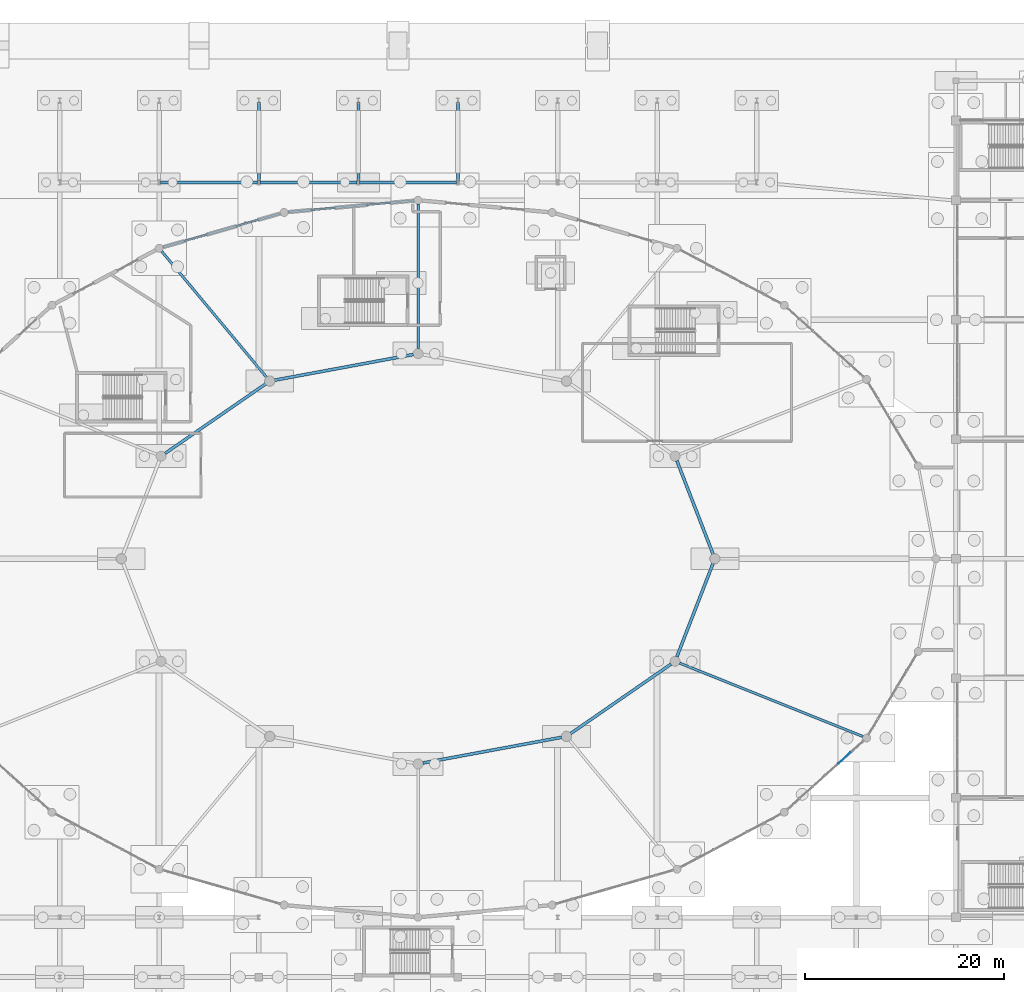
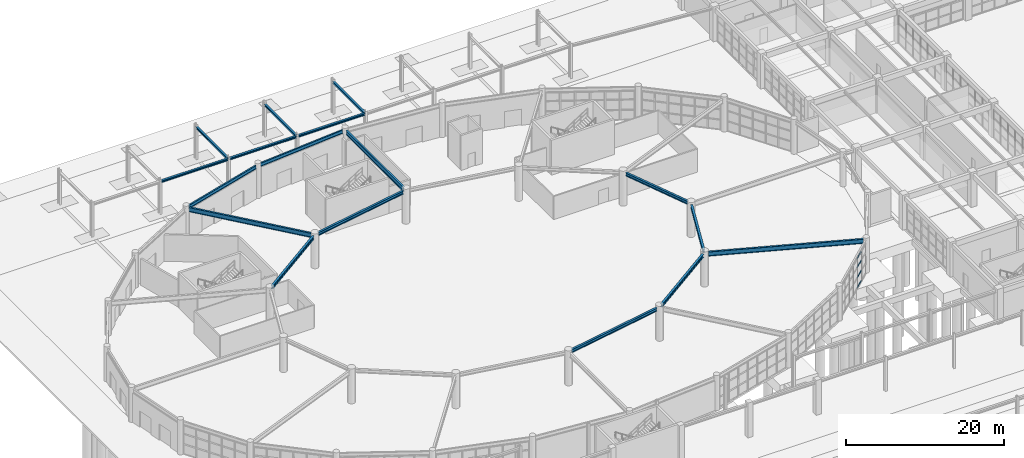
# One storey, part 42 of 99: 17 beams, 4 members, 1 element without a shape of its own.
"""IFC4 building model written with IfcOpenShell, lengths in metres."""

from ifc_helpers import new_model, si_unit, direction, frame, origin, origin_2d, place, context, subcontext, project, spatial, rectangle, i_section, extrude, material, layer, layer_set, material_profile, profile_set, type_object, element, aggregate, save


model = new_model("IFC4")

# Units and contexts
model_context = context("Model", 3, precision=1e-05, world=origin(), true_north=direction((0.0, 1.0)))
body_context = subcontext(model_context, "Body", "Model", "MODEL_VIEW")
ifc_project = project(units=[si_unit("LENGTHUNIT", "METRE"), si_unit("AREAUNIT", "SQUARE_METRE"), si_unit("VOLUMEUNIT", "CUBIC_METRE"), si_unit("PLANEANGLEUNIT", "RADIAN"), si_unit("MASSUNIT", "GRAM", prefix="KILO")], contexts=[model_context])

# Site, building, storey
site_placement = place(None, origin())
site = spatial("IfcSite", under=ifc_project, at=site_placement, CompositionType="ELEMENT")
building_placement = place(site_placement, origin())
building = spatial("IfcBuilding", under=site, at=building_placement, Name="Kivolera Central Railway Station", CompositionType="ELEMENT")
storey_placement = place(building_placement, origin())
storey = spatial("IfcBuildingStorey", under=building, at=storey_placement, Name="L00", CompositionType="ELEMENT", Elevation=0.0)

# Beams
ifc_material_1 = material(Name="Steel S355", Category="steel")
ifc_material_profile_1 = material_profile(ifc_material_1, i_section(OverallWidth=0.300048828125, OverallDepth=0.2900390625, WebThickness=0.008544921875, FlangeThickness=0.013916015625, FilletRadius=0.027099609375, at=origin_2d()), Name="HEA 300")
ifc_profile_set_1 = profile_set([ifc_material_profile_1], Name="Steel S355")
beam_type_1 = type_object("IfcBeamType", Name="BM-CAN-TIE", PredefinedType="BEAM", material=ifc_profile_set_1)
for number, where, z_axis, x_axis, name in (
    (1, (48.0, 127.93994140625, 4.919921875), (0.0, 1.0, 0.0), (-1.0, 0.0, 0.0), "Forecourt Canopy Tie Beam 3"),
    (2, (58.0, 127.93994140625, 4.919921875), (0.0, 1.0, 0.0), (-1.0, 0.0, 0.0), "Forecourt Canopy Tie Beam 4"),
    (3, (68.0, 127.93994140625, 4.919921875), (0.0, 1.0, 0.0), (-1.0, 0.0, 0.0), "Forecourt Canopy Tie Beam 5"),
):
    element("IfcBeam", number, at=place(storey_placement, frame(where, z_axis=z_axis, x_axis=x_axis)), inside=storey, type_object=beam_type_1, Name=name, PredefinedType="BEAM", context=body_context, shape_type="SweptSolid", body=[
        extrude(i_section(OverallWidth=0.300048828125, OverallDepth=0.2900390625, WebThickness=0.008544921875, FlangeThickness=0.013916015625, FilletRadius=0.027099609375, at=origin_2d()), origin(), (0.0, 0.0, 1.0), 7.920166015625),
    ])
for number, where, z_axis, x_axis, name in (
    (4, (38.139892578125, 127.800048828125, 4.919921875), (1.0, 0.0, 0.0), (0.0, 1.0, 0.0), "Forecourt Canopy South Longitudinal Beam 38"),
    (5, (48.139892578125, 127.800048828125, 4.919921875), (1.0, 0.0, 0.0), (0.0, 1.0, 0.0), "Forecourt Canopy South Longitudinal Beam 48"),
    (6, (58.139892578125, 127.800048828125, 4.919921875), (1.0, 0.0, 0.0), (0.0, 1.0, 0.0), "Forecourt Canopy South Longitudinal Beam 58"),
):
    element("IfcBeam", number, at=place(storey_placement, frame(where, z_axis=z_axis, x_axis=x_axis)), inside=storey, type_object=beam_type_1, Name=name, PredefinedType="BEAM", context=body_context, shape_type="SweptSolid", body=[
        extrude(i_section(OverallWidth=0.300048828125, OverallDepth=0.2900390625, WebThickness=0.008544921875, FlangeThickness=0.013916015625, FilletRadius=0.027099609375, at=origin_2d()), origin(), (0.0, 0.0, 1.0), 9.72021484375),
    ])
ifc_material_profile_2 = material_profile(ifc_material_1, i_section(OverallWidth=0.300048828125, OverallDepth=0.489990234375, WebThickness=0.011962890625, FlangeThickness=0.02294921875, FilletRadius=0.027099609375, at=origin_2d()), Name="HEA 500")
ifc_profile_set_2 = profile_set([ifc_material_profile_2], Name="Steel S355")
beam_type_2 = type_object("IfcBeamType", Name="BM-SHD-HEA500", PredefinedType="BEAM", material=ifc_profile_set_2)
beam_1_placement = place(storey_placement, frame((93.623046875, 90.45703125, 4.863037109375), z_axis=(-0.36139618842, 0.932412352447, 0.0), x_axis=(-0.932412352447, -0.36139618842, 0.0)))
element("IfcBeam", 7, at=beam_1_placement, inside=storey, type_object=beam_type_2, Name="L00 Oval Inner Gallery Ring Beam 01", PredefinedType="BEAM", context=body_context, shape_type="SweptSolid", body=[
    extrude(i_section(OverallWidth=0.300048828125, OverallDepth=0.489990234375, WebThickness=0.011962890625, FlangeThickness=0.02294921875, FilletRadius=0.027099609375, at=origin_2d()), origin(), (0.0, 0.0, 1.0), 10.06640625),
])
beam_2_placement = place(storey_placement, frame((63.51806640625, 110.510986328125, 4.863037109375), z_axis=(-0.983265780788, -0.182176849053, 0.0), x_axis=(0.182176849053, -0.983265780788, 0.0)))
element("IfcBeam", 8, at=beam_2_placement, inside=storey, type_object=beam_type_2, Name="L00 Oval Inner Gallery Ring Beam 04", PredefinedType="BEAM", context=body_context, shape_type="SweptSolid", body=[
    extrude(i_section(OverallWidth=0.300048828125, OverallDepth=0.489990234375, WebThickness=0.011962890625, FlangeThickness=0.02294921875, FilletRadius=0.027099609375, at=origin_2d()), origin(), (0.0, 0.0, 1.0), 14.173095703125),
])
beam_3_placement = place(storey_placement, frame((48.697021484375, 107.56103515625, 4.863037109375), z_axis=(-0.822641407904, -0.568560563179, 0.0), x_axis=(0.568560563179, -0.822641407904, 0.0)))
element("IfcBeam", 9, at=beam_3_placement, inside=storey, type_object=beam_type_2, Name="L00 Oval Inner Gallery Ring Beam 05", PredefinedType="BEAM", context=body_context, shape_type="SweptSolid", body=[
    extrude(i_section(OverallWidth=0.300048828125, OverallDepth=0.489990234375, WebThickness=0.011962890625, FlangeThickness=0.02294921875, FilletRadius=0.027099609375, at=origin_2d()), origin(), (0.0, 0.0, 1.0), 12.280029296875),
])
beam_4_placement = place(storey_placement, frame((64.48193359375, 69.489013671875, 4.863037109375), z_axis=(0.983265780788, 0.182176849053, 0.0), x_axis=(-0.182176849053, 0.983265780788, 0.0)))
element("IfcBeam", 10, at=beam_4_placement, inside=storey, type_object=beam_type_2, Name="L00 Oval Inner Gallery Ring Beam 10", PredefinedType="BEAM", context=body_context, shape_type="SweptSolid", body=[
    extrude(i_section(OverallWidth=0.300048828125, OverallDepth=0.489990234375, WebThickness=0.011962890625, FlangeThickness=0.02294921875, FilletRadius=0.027099609375, at=origin_2d()), origin(), (0.0, 0.0, 1.0), 14.173095703125),
])
beam_5_placement = place(storey_placement, frame((79.302978515625, 72.43896484375, 4.863037109375), z_axis=(0.822641407904, 0.568560563179, 0.0), x_axis=(-0.568560563179, 0.822641407904, 0.0)))
element("IfcBeam", 11, at=beam_5_placement, inside=storey, type_object=beam_type_2, Name="L00 Oval Inner Gallery Ring Beam 11", PredefinedType="BEAM", context=body_context, shape_type="SweptSolid", body=[
    extrude(i_section(OverallWidth=0.300048828125, OverallDepth=0.489990234375, WebThickness=0.011962890625, FlangeThickness=0.02294921875, FilletRadius=0.027099609375, at=origin_2d()), origin(), (0.0, 0.0, 1.0), 12.280029296875),
])
beam_6_placement = place(storey_placement, frame((89.985107421875, 80.156982421875, 4.863037109375), z_axis=(0.36139618842, 0.932412352447, 0.0), x_axis=(-0.932412352447, 0.36139618842, 0.0)))
element("IfcBeam", 12, at=beam_6_placement, inside=storey, type_object=beam_type_2, Name="L00 Oval Inner Gallery Ring Beam 12", PredefinedType="BEAM", context=body_context, shape_type="SweptSolid", body=[
    extrude(i_section(OverallWidth=0.300048828125, OverallDepth=0.489990234375, WebThickness=0.011962890625, FlangeThickness=0.02294921875, FilletRadius=0.027099609375, at=origin_2d()), origin(), (0.0, 0.0, 1.0), 10.06640625),
])
ifc_material_profile_3 = material_profile(ifc_material_1, i_section(OverallWidth=0.209228515625, OverallDepth=0.533203125, WebThickness=0.010009765625, FlangeThickness=0.015625, FilletRadius=0.0126953125, at=origin_2d()), Name="UB 533x210x92")
ifc_profile_set_3 = profile_set([ifc_material_profile_3], Name="Steel S355")
beam_type_3 = type_object("IfcBeamType", Name="BM-SHD-UB533", PredefinedType="BEAM", material=ifc_profile_set_3)
beam_7_placement = place(storey_placement, frame((63.612060546875, 125.965087890625, 4.841064453125), z_axis=(-0.9958650324, -0.090845127787, 0.0), x_axis=(0.090845127787, -0.9958650324, 0.0)))
element("IfcBeam", 13, at=beam_7_placement, inside=storey, type_object=beam_type_3, Name="L00 Oval Perimeter Ring Beam 07", PredefinedType="BEAM", context=body_context, shape_type="SweptSolid", body=[
    extrude(i_section(OverallWidth=0.209228515625, OverallDepth=0.533203125, WebThickness=0.010009765625, FlangeThickness=0.015625, FilletRadius=0.0126953125, at=origin_2d()), origin(), (0.0, 0.0, 1.0), 12.73583984375),
])
beam_8_placement = place(storey_placement, frame((50.166015625, 124.666015625, 4.841064453125), z_axis=(-0.961238780007, -0.275717260631, 0.0), x_axis=(0.275717260631, -0.961238780007, 0.0)))
element("IfcBeam", 14, at=beam_8_placement, inside=storey, type_object=beam_type_3, Name="L00 Oval Perimeter Ring Beam 08", PredefinedType="BEAM", context=body_context, shape_type="SweptSolid", body=[
    extrude(i_section(OverallWidth=0.209228515625, OverallDepth=0.533203125, WebThickness=0.010009765625, FlangeThickness=0.015625, FilletRadius=0.0126953125, at=origin_2d()), origin(), (0.0, 0.0, 1.0), 12.266357421875),
])
ifc_material_profile_4 = material_profile(ifc_material_1, i_section(OverallWidth=0.253662109375, OverallDepth=0.68359375, WebThickness=0.012451171875, FlangeThickness=0.01904296875, FilletRadius=0.01513671875, at=origin_2d()), Name="UB 686x254x140")
ifc_profile_set_4 = profile_set([ifc_material_profile_4], Name="Steel S355")
beam_type_4 = type_object("IfcBeamType", Name="BM-SHD-UB686", PredefinedType="BEAM", material=ifc_profile_set_4)
beam_9_placement = place(storey_placement, frame((64.0, 111.090087890625, 4.76611328125), z_axis=(0.0, 1.0, 0.0), x_axis=(-1.0, 0.0, 0.0)))
element("IfcBeam", 15, at=beam_9_placement, inside=storey, type_object=beam_type_4, Name="L00 Oval Gallery Radial Girder 04", PredefinedType="BEAM", context=body_context, shape_type="SweptSolid", body=[
    extrude(i_section(OverallWidth=0.253662109375, OverallDepth=0.68359375, WebThickness=0.012451171875, FlangeThickness=0.01904296875, FilletRadius=0.01513671875, at=origin_2d()), origin(), (0.0, 0.0, 1.0), 14.52001953125),
])
beam_10_placement = place(storey_placement, frame((48.787109375, 108.217041015625, 4.76611328125), z_axis=(-0.639760063775, 0.768574694353, 0.0), x_axis=(-0.768574694353, -0.639760063775, 0.0)))
element("IfcBeam", 16, at=beam_10_placement, inside=storey, type_object=beam_type_4, Name="L00 Oval Gallery Radial Girder 05", PredefinedType="BEAM", context=body_context, shape_type="SweptSolid", body=[
    extrude(i_section(OverallWidth=0.253662109375, OverallDepth=0.68359375, WebThickness=0.012451171875, FlangeThickness=0.01904296875, FilletRadius=0.01513671875, at=origin_2d()), origin(), (0.0, 0.0, 1.0), 16.471923828125),
])
beam_11_placement = place(storey_placement, frame((90.262939453125, 79.51806640625, 4.76611328125), z_axis=(0.928305074345, -0.371819430565, 0.0), x_axis=(0.371819430565, 0.928305074345, 0.0)))
element("IfcBeam", 17, at=beam_11_placement, inside=storey, type_object=beam_type_4, Name="L00 Oval Gallery Radial Girder 12", PredefinedType="BEAM", context=body_context, shape_type="SweptSolid", body=[
    extrude(i_section(OverallWidth=0.253662109375, OverallDepth=0.68359375, WebThickness=0.012451171875, FlangeThickness=0.01904296875, FilletRadius=0.01513671875, at=origin_2d()), origin(), (0.0, 0.0, 1.0), 19.82958984375),
])

# Curtain wall, members
ifc_material_2 = material(Name="Anodised aluminium", Category="aluminium")
ifc_layer = layer(ifc_material_2, 0.179931640625, Name="Anodised aluminium")
ifc_layer_set = layer_set([ifc_layer], Name="Anodised aluminium")
curtain_wall_type = type_object("IfcCurtainWallType", Name="CW-SYS-04", PredefinedType="NOTDEFINED", material=ifc_layer_set)
curtain_wall_placement = place(storey_placement, origin())
curtain_wall = element("IfcCurtainWall", 18, at=curtain_wall_placement, inside=storey, type_object=curtain_wall_type, Name="L00 Curtain Wall CW-L00-OVL-21", PredefinedType="NOTDEFINED")
ifc_material_profile_5 = material_profile(ifc_material_2, rectangle(XDim=0.070068359375, YDim=0.139892578125, at=origin_2d()), Name="ALU TRAN 70x140")
ifc_profile_set_5 = profile_set([ifc_material_profile_5], Name="Anodised aluminium")
member_type = type_object("IfcMemberType", Name="CWM-TRN-1", PredefinedType="USERDEFINED", material=ifc_profile_set_5)
member_1_placement = place(storey_placement, frame((107.431884765625, 70.55517578125, 0.034912109375), z_axis=(-0.74246304586, -0.669887024455, 0.0), x_axis=(0.669887024455, -0.74246304586, 0.0)))
member_1 = element("IfcMember", 19, at=member_1_placement, type_object=member_type, Name="CW-04 transom 2.1", ObjectType="TRANSOM", PredefinedType="USERDEFINED", context=body_context, shape_type="SweptSolid", body=[
    extrude(rectangle(XDim=0.070068359375, YDim=0.139892578125, at=origin_2d()), origin(), (0.0, 0.0, 1.0), 1.651611328125),
])
member_2_placement = place(storey_placement, frame((107.431884765625, 70.55517578125, 1.592529296875), z_axis=(-0.74246304586, -0.669887024455, 0.0), x_axis=(0.669887024455, -0.74246304586, 0.0)))
member_2 = element("IfcMember", 20, at=member_2_placement, type_object=member_type, Name="CW-04 transom 2.2", ObjectType="TRANSOM", PredefinedType="USERDEFINED", context=body_context, shape_type="SweptSolid", body=[
    extrude(rectangle(XDim=0.070068359375, YDim=0.139892578125, at=origin_2d()), origin(), (0.0, 0.0, 1.0), 1.651611328125),
])
member_3_placement = place(storey_placement, frame((107.431884765625, 70.55517578125, 3.18505859375), z_axis=(-0.74246304586, -0.669887024455, 0.0), x_axis=(0.669887024455, -0.74246304586, 0.0)))
member_3 = element("IfcMember", 21, at=member_3_placement, type_object=member_type, Name="CW-04 transom 2.3", ObjectType="TRANSOM", PredefinedType="USERDEFINED", context=body_context, shape_type="SweptSolid", body=[
    extrude(rectangle(XDim=0.070068359375, YDim=0.139892578125, at=origin_2d()), origin(), (0.0, 0.0, 1.0), 1.651611328125),
])
member_4_placement = place(storey_placement, frame((107.431884765625, 70.55517578125, 4.514892578125), z_axis=(-0.74246304586, -0.669887024455, 0.0), x_axis=(0.669887024455, -0.74246304586, 0.0)))
member_4 = element("IfcMember", 22, at=member_4_placement, type_object=member_type, Name="CW-04 transom 2.4", ObjectType="TRANSOM", PredefinedType="USERDEFINED", context=body_context, shape_type="SweptSolid", body=[
    extrude(rectangle(XDim=0.070068359375, YDim=0.139892578125, at=origin_2d()), origin(), (0.0, 0.0, 1.0), 1.651611328125),
])
aggregate(curtain_wall, [member_1, member_2, member_3, member_4])

save(model, "model.ifc")
